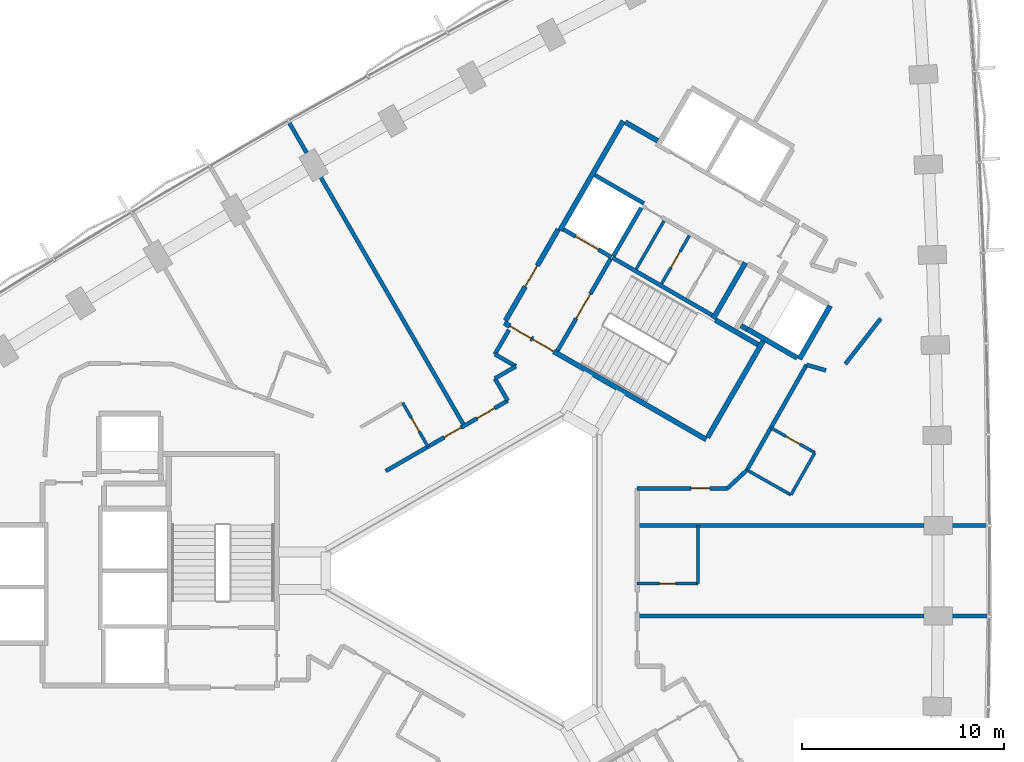
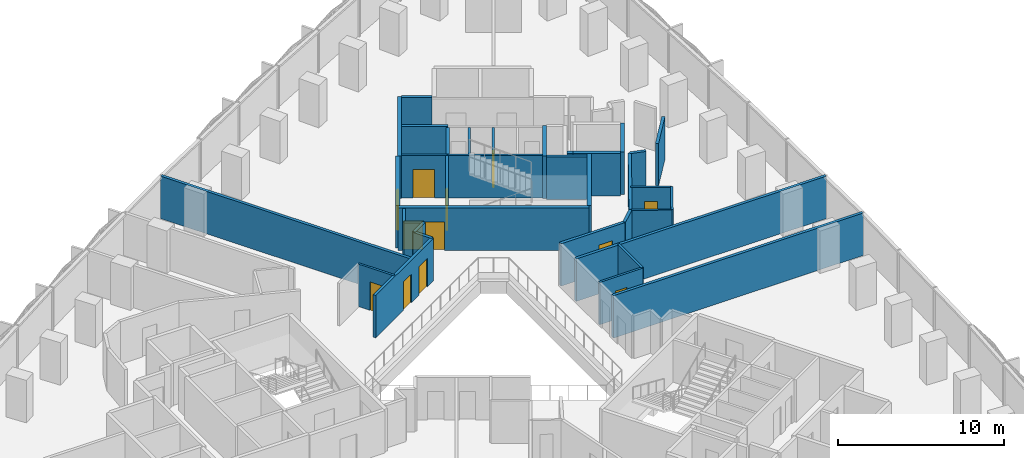
# One storey, part 11 of 15: 36 walls, 12 doors, 12 openings.
"""IFC4 building model written with IfcOpenShell, lengths in metres."""

from ifc_helpers import new_model, si_unit, direction, frame, frame_2d, origin, place, context, subcontext, project, spatial, rectangle, extrude, material, layer, layer_set, type_object, element, fill, save


model = new_model("IFC4")

# Units and contexts
model_context = context("Model", 3, precision=1e-05, world=origin(), true_north=direction((0.0, 1.0)))
body_context = subcontext(model_context, "Body", "Model", "MODEL_VIEW")
ifc_project = project(units=[si_unit("LENGTHUNIT", "METRE"), si_unit("AREAUNIT", "SQUARE_METRE"), si_unit("VOLUMEUNIT", "CUBIC_METRE"), si_unit("PLANEANGLEUNIT", "RADIAN"), si_unit("MASSUNIT", "GRAM", prefix="KILO")], contexts=[model_context])

# Site, building, storey
site_placement = place(None, origin())
site = spatial("IfcSite", under=ifc_project, at=site_placement, CompositionType="ELEMENT")
building_placement = place(site_placement, origin())
building = spatial("IfcBuilding", under=site, at=building_placement, Name="Tamra Quay Hotel Tower", CompositionType="ELEMENT")
storey_placement = place(building_placement, frame((0.0, 0.0, 53.0)))
storey = spatial("IfcBuildingStorey", under=building, at=storey_placement, Name="L11", CompositionType="ELEMENT", Elevation=53.0)

# Wall
ifc_material_1 = material(Name="Concrete M70", Category="concrete")
ifc_layer_1 = layer(ifc_material_1, 0.199951171875)
ifc_layer_set_1 = layer_set([ifc_layer_1], Name="Concrete M70 core wall 200")
wall_type_1 = type_object("IfcWallType", Name="Concrete M70 core wall 200", PredefinedType="SHEAR", material=ifc_layer_set_1)
wall_1_placement = place(storey_placement, frame((5.774658203125, 15.501953125, 0.0), z_axis=(0.0, 0.0, 1.0), x_axis=(0.866020080793, -0.500009219579, 0.0)))
element("IfcWall", 1, at=wall_1_placement, inside=storey, type_object=wall_type_1, Name="CW2", PredefinedType="SHEAR", context=body_context, shape_type="SweptSolid", body=[
    extrude(rectangle(XDim=5.69921875, YDim=0.199951171875, at=frame_2d((2.849609375, 0.0))), origin(), (0.0, 0.0, 1.0), 3.125),
])

# Wall, opening, door
wall_2_placement = place(storey_placement, frame((3.056640625, 10.89453125, 0.0), z_axis=(0.0, 0.0, 1.0), x_axis=(0.499989418164, 0.866031513124, 0.0)))
wall_2 = element("IfcWall", 2, at=wall_2_placement, inside=storey, type_object=wall_type_1, Name="CW2", PredefinedType="SHEAR", context=body_context, shape_type="SweptSolid", body=[
    extrude(rectangle(XDim=5.2509765625, YDim=0.199951171875, at=frame_2d((2.62548828125, 0.0))), origin(), (0.0, 0.0, 1.0), 3.125),
])
opening_1_placement = place(wall_2_placement, frame((1.84912109375, 0.0, 0.0)))
opening_1 = element("IfcOpeningElement", 3, at=opening_1_placement, cuts=wall_2, Name="Opening FD2", PredefinedType="OPENING", context=body_context, shape_type="SweptSolid", body=[
    extrude(rectangle(XDim=1.39990234375, YDim=2.10009765625, at=frame_2d((0.699951171875, 1.050048828125))), frame((0.0, 0.10986328125, 0.0), z_axis=(0.0, -1.0, 0.0), x_axis=(1.0, 0.0, 0.0)), (0.0, 0.0, 1.0), 0.219970703125),
])
ifc_material_2 = material(Name="Core door FD2 1400x2100 LH")
door_type_1 = type_object("IfcDoorType", Name="Core door FD2 1400x2100 LH", OperationType="NOTDEFINED", PredefinedType="DOOR", material=ifc_material_2)
door_1_placement = place(opening_1_placement, origin())
door_1 = element("IfcDoor", 4, at=door_1_placement, inside=storey, type_object=door_type_1, Name="FD2", OperationType="SINGLE_SWING_LEFT", OverallHeight=2.10009765625, OverallWidth=1.39990234375, PredefinedType="DOOR", context=body_context, shape_type="SweptSolid", body=[
    extrude(rectangle(XDim=1.39990234375, YDim=2.10009765625, at=frame_2d((0.699951171875, 1.050048828125))), frame((0.0, 0.02490234375, 0.0), z_axis=(0.0, -1.0, 0.0), x_axis=(1.0, 0.0, 0.0)), (0.0, 0.0, 1.0), 0.050048828125),
])
fill(opening_1, door_1)

# Wall
wall_3_placement = place(storey_placement, frame((7.199462890625, 17.969970703125, 0.0), z_axis=(0.0, 0.0, 1.0), x_axis=(-0.499968400327, -0.866043647095, 0.0)))
element("IfcWall", 5, at=wall_3_placement, inside=storey, type_object=wall_type_1, Name="CW2", PredefinedType="SHEAR", context=body_context, shape_type="SweptSolid", body=[
    extrude(rectangle(XDim=2.749755859375, YDim=0.199951171875, at=frame_2d((1.375, 0.0))), origin(), (0.0, 0.0, 1.0), 3.125),
])

# Wall, opening, door
wall_4_placement = place(storey_placement, frame((5.72509765625, 15.530517578125, 0.0), z_axis=(0.0, 0.0, 1.0), x_axis=(-0.866037306777, 0.499979382845, 0.0)))
wall_4 = element("IfcWall", 6, at=wall_4_placement, inside=storey, type_object=wall_type_1, Name="CW2", PredefinedType="SHEAR", context=body_context, shape_type="SweptSolid", body=[
    extrude(rectangle(XDim=2.74169921875, YDim=0.199951171875, at=frame_2d((1.370849609375, 0.0))), origin(), (0.0, 0.0, 1.0), 3.125),
])
opening_2_placement = place(wall_4_placement, frame((0.742919921875, 0.0, 0.0)))
opening_2 = element("IfcOpeningElement", 7, at=opening_2_placement, cuts=wall_4, Name="Opening LD", PredefinedType="OPENING", context=body_context, shape_type="SweptSolid", body=[
    extrude(rectangle(XDim=1.300048828125, YDim=2.10009765625, at=frame_2d((0.64990234375, 1.050048828125))), frame((0.0, 0.10986328125, 0.0), z_axis=(0.0, -1.0, 0.0), x_axis=(1.0, 0.0, 0.0)), (0.0, 0.0, 1.0), 0.219970703125),
])
ifc_material_3 = material(Name="Landing door LD 1300 sliding to left")
door_type_2 = type_object("IfcDoorType", Name="Landing door LD 1300 sliding to left", OperationType="NOTDEFINED", PredefinedType="DOOR", material=ifc_material_3)
door_2_placement = place(opening_2_placement, origin())
door_2 = element("IfcDoor", 8, at=door_2_placement, inside=storey, type_object=door_type_2, Name="LD", OperationType="SLIDING_TO_LEFT", OverallHeight=2.10009765625, OverallWidth=1.300048828125, PredefinedType="DOOR", context=body_context, shape_type="SweptSolid", body=[
    extrude(rectangle(XDim=1.300048828125, YDim=2.10009765625, at=frame_2d((0.64990234375, 1.050048828125))), frame((0.0, 0.02490234375, 0.0), z_axis=(0.0, -1.0, 0.0), x_axis=(1.0, 0.0, 0.0)), (0.0, 0.0, 1.0), 0.050048828125),
])
fill(opening_2, door_2)

# Wall
wall_5_placement = place(storey_placement, frame((4.900634765625, 19.5859375, 0.0), z_axis=(0.0, 0.0, 1.0), x_axis=(0.866022890907, -0.500004352405, 0.0)))
element("IfcWall", 9, at=wall_5_placement, inside=storey, type_object=wall_type_1, Name="CW2", PredefinedType="SHEAR", context=body_context, shape_type="SweptSolid", body=[
    extrude(rectangle(XDim=2.798828125, YDim=0.199951171875, at=frame_2d((1.3994140625, 0.0))), origin(), (0.0, 0.0, 1.0), 3.125),
])

# Wall, openings, doors
ifc_layer_2 = layer(ifc_material_1, 0.25)
ifc_layer_set_2 = layer_set([ifc_layer_2], Name="Concrete M70 core wall 250")
wall_type_2 = type_object("IfcWallType", Name="Concrete M70 core wall 250", PredefinedType="SHEAR", material=ifc_layer_set_2)
wall_6_placement = place(storey_placement, frame((10.419921875, 6.497802734375, 0.0), z_axis=(0.0, 0.0, 1.0), x_axis=(-0.866021906294, 0.500006057782, 0.0)))
wall_6 = element("IfcWall", 10, at=wall_6_placement, inside=storey, type_object=wall_type_2, Name="CW1", PredefinedType="SHEAR", context=body_context, shape_type="SweptSolid", body=[
    extrude(rectangle(XDim=11.550048828125, YDim=0.25, at=frame_2d((5.77490234375, 0.0))), origin(), (0.0, 0.0, 1.0), 3.125),
])
opening_3_placement = place(wall_6_placement, frame((10.02490234375, 0.0, 0.0)))
opening_3 = element("IfcOpeningElement", 11, at=opening_3_placement, cuts=wall_6, Name="Opening FD1", PredefinedType="OPENING", context=body_context, shape_type="SweptSolid", body=[
    extrude(rectangle(XDim=1.199951171875, YDim=2.10009765625, at=frame_2d((0.60009765625, 1.050048828125))), frame((0.0, 0.135009765625, 0.0), z_axis=(0.0, -1.0, 0.0), x_axis=(1.0, 0.0, 0.0)), (0.0, 0.0, 1.0), 0.27001953125),
])
opening_4_placement = place(wall_6_placement, frame((8.724853515625, 0.0, 0.0)))
opening_4 = element("IfcOpeningElement", 12, at=opening_4_placement, cuts=wall_6, Name="Opening FD1", PredefinedType="OPENING", context=body_context, shape_type="SweptSolid", body=[
    extrude(rectangle(XDim=1.199951171875, YDim=2.10009765625, at=frame_2d((0.60009765625, 1.050048828125))), frame((0.0, 0.135009765625, 0.0), z_axis=(0.0, -1.0, 0.0), x_axis=(1.0, 0.0, 0.0)), (0.0, 0.0, 1.0), 0.27001953125),
])
ifc_material_4 = material(Name="Core door FD1 1200x2100 LH")
door_type_3 = type_object("IfcDoorType", Name="Core door FD1 1200x2100 LH", OperationType="NOTDEFINED", PredefinedType="DOOR", material=ifc_material_4)
door_3_placement = place(opening_3_placement, origin())
door_3 = element("IfcDoor", 13, at=door_3_placement, inside=storey, type_object=door_type_3, Name="FD1", OperationType="SINGLE_SWING_LEFT", OverallHeight=2.10009765625, OverallWidth=1.199951171875, PredefinedType="DOOR", context=body_context, shape_type="SweptSolid", body=[
    extrude(rectangle(XDim=1.199951171875, YDim=2.10009765625, at=frame_2d((0.60009765625, 1.050048828125))), frame((0.0, 0.02490234375, 0.0), z_axis=(0.0, -1.0, 0.0), x_axis=(1.0, 0.0, 0.0)), (0.0, 0.0, 1.0), 0.050048828125),
])
fill(opening_3, door_3)
ifc_material_5 = material(Name="Core door FD1 1200x2100 RH")
door_type_4 = type_object("IfcDoorType", Name="Core door FD1 1200x2100 RH", OperationType="NOTDEFINED", PredefinedType="DOOR", material=ifc_material_5)
door_4_placement = place(opening_4_placement, origin())
door_4 = element("IfcDoor", 14, at=door_4_placement, inside=storey, type_object=door_type_4, Name="FD1", OperationType="SINGLE_SWING_RIGHT", OverallHeight=2.10009765625, OverallWidth=1.199951171875, PredefinedType="DOOR", context=body_context, shape_type="SweptSolid", body=[
    extrude(rectangle(XDim=1.199951171875, YDim=2.10009765625, at=frame_2d((0.60009765625, 1.050048828125))), frame((0.0, 0.02490234375, 0.0), z_axis=(0.0, -1.0, 0.0), x_axis=(1.0, 0.0, 0.0)), (0.0, 0.0, 1.0), 0.050048828125),
])
fill(opening_4, door_4)

# Wall
wall_7_placement = place(storey_placement, frame((3.178955078125, 16.856201171875, 0.0), z_axis=(0.0, 0.0, 1.0), x_axis=(0.500004234368, 0.866022959057, 0.0)))
element("IfcWall", 15, at=wall_7_placement, inside=storey, type_object=wall_type_2, Name="CW1", PredefinedType="SHEAR", context=body_context, shape_type="SweptSolid", body=[
    extrude(rectangle(XDim=6.25, YDim=0.25, at=frame_2d((3.125, 0.0))), origin(), (0.0, 0.0, 1.0), 3.125),
])

# Wall, opening, door
wall_8_placement = place(storey_placement, frame((0.47998046875, 12.38134765625, 0.0), z_axis=(0.0, 0.0, 1.0), x_axis=(0.49999885962, 0.866026062182, 0.0)))
wall_8 = element("IfcWall", 16, at=wall_8_placement, inside=storey, type_object=wall_type_2, Name="CW1", PredefinedType="SHEAR", context=body_context, shape_type="SweptSolid", body=[
    extrude(rectangle(XDim=5.224609375, YDim=0.25, at=frame_2d((2.6123046875, 0.0))), origin(), (0.0, 0.0, 1.0), 3.125),
])
opening_5_placement = place(wall_8_placement, frame((1.94970703125, 0.0, 0.0)))
opening_5 = element("IfcOpeningElement", 17, at=opening_5_placement, cuts=wall_8, Name="Opening D2", PredefinedType="OPENING", context=body_context, shape_type="SweptSolid", body=[
    extrude(rectangle(XDim=1.199951171875, YDim=2.10009765625, at=frame_2d((0.60009765625, 1.050048828125))), frame((0.0, 0.135009765625, 0.0), z_axis=(0.0, -1.0, 0.0), x_axis=(1.0, 0.0, 0.0)), (0.0, 0.0, 1.0), 0.27001953125),
])
ifc_material_6 = material(Name="Core door D2 1200x2100 RH")
door_type_5 = type_object("IfcDoorType", Name="Core door D2 1200x2100 RH", OperationType="NOTDEFINED", PredefinedType="DOOR", material=ifc_material_6)
door_5_placement = place(opening_5_placement, origin())
door_5 = element("IfcDoor", 18, at=door_5_placement, inside=storey, type_object=door_type_5, Name="D2", OperationType="SINGLE_SWING_RIGHT", OverallHeight=2.10009765625, OverallWidth=1.199951171875, PredefinedType="DOOR", context=body_context, shape_type="SweptSolid", body=[
    extrude(rectangle(XDim=1.199951171875, YDim=2.10009765625, at=frame_2d((0.60009765625, 1.050048828125))), frame((0.0, 0.02490234375, 0.0), z_axis=(0.0, -1.0, 0.0), x_axis=(1.0, 0.0, 0.0)), (0.0, 0.0, 1.0), 0.050048828125),
])
fill(opening_5, door_5)

# Walls
wall_9_placement = place(storey_placement, frame((13.237548828125, 11.3779296875, 0.0), z_axis=(0.0, 0.0, 1.0), x_axis=(-0.500008851346, -0.866020293397, 0.0)))
element("IfcWall", 19, at=wall_9_placement, inside=storey, type_object=wall_type_2, Name="CW1", PredefinedType="SHEAR", context=body_context, shape_type="SweptSolid", body=[
    extrude(rectangle(XDim=5.509765625, YDim=0.25, at=frame_2d((2.7548828125, 0.0))), origin(), (0.0, 0.0, 1.0), 3.125),
])
wall_10_placement = place(storey_placement, frame((12.356689453125, 15.25244140625, 0.0), z_axis=(0.0, 0.0, 1.0), x_axis=(-0.500028443584, -0.866008981251, 0.0)))
element("IfcWall", 20, at=wall_10_placement, inside=storey, type_object=wall_type_2, Name="CW1", PredefinedType="SHEAR", context=body_context, shape_type="SweptSolid", body=[
    extrude(rectangle(XDim=3.199951171875, YDim=0.25, at=frame_2d((1.60009765625, 0.0))), origin(), (0.0, 0.0, 1.0), 3.125),
])
wall_11_placement = place(storey_placement, frame((16.552001953125, 13.118896484375, 0.0), z_axis=(0.0, 0.0, 1.0), x_axis=(-0.499978833458, -0.866037623948, 0.0)))
element("IfcWall", 21, at=wall_11_placement, inside=storey, type_object=wall_type_2, Name="CW1", PredefinedType="SHEAR", context=body_context, shape_type="SweptSolid", body=[
    extrude(rectangle(XDim=3.050048828125, YDim=0.25, at=frame_2d((1.52490234375, 0.0))), origin(), (0.0, 0.0, 1.0), 3.125),
])
wall_12_placement = place(storey_placement, frame((14.91845703125, 10.540283203125, 0.0), z_axis=(0.0, 0.0, 1.0), x_axis=(-0.866063538972, 0.499933942099, 0.0)))
element("IfcWall", 22, at=wall_12_placement, inside=storey, type_object=wall_type_2, Name="CW1", PredefinedType="SHEAR", context=body_context, shape_type="SweptSolid", body=[
    extrude(rectangle(XDim=2.86474609375, YDim=0.25, at=frame_2d((1.432373046875, 0.0))), origin(), (0.0, 0.0, 1.0), 3.125),
])
wall_13_placement = place(storey_placement, frame((10.865234375, 12.41845703125, 0.0), z_axis=(0.0, 0.0, 1.0), x_axis=(0.866026229868, -0.499998569178, 0.0)))
element("IfcWall", 23, at=wall_13_placement, inside=storey, type_object=wall_type_2, Name="CW1", PredefinedType="SHEAR", context=body_context, shape_type="SweptSolid", body=[
    extrude(rectangle(XDim=2.44921875, YDim=0.25, at=frame_2d((1.224609375, 0.0))), origin(), (0.0, 0.0, 1.0), 3.125),
])
wall_14_placement = place(storey_placement, frame((6.41259765625, 22.2060546875, 0.0), z_axis=(0.0, 0.0, 1.0), x_axis=(0.866016279763, -0.500015802937, 0.0)))
element("IfcWall", 24, at=wall_14_placement, inside=storey, type_object=wall_type_2, Name="CW1", PredefinedType="SHEAR", context=body_context, shape_type="SweptSolid", body=[
    extrude(rectangle(XDim=1.84912109375, YDim=0.25, at=frame_2d((0.924560546875, 0.0))), origin(), (0.0, 0.0, 1.0), 3.125),
])
wall_15_placement = place(storey_placement, frame((12.4326171875, 11.9638671875, 0.0), z_axis=(0.0, 0.0, 1.0), x_axis=(-0.866055875208, 0.499947218231, 0.0)))
element("IfcWall", 25, at=wall_15_placement, inside=storey, type_object=wall_type_2, Name="CW1", PredefinedType="SHEAR", context=body_context, shape_type="SweptSolid", body=[
    extrude(rectangle(XDim=0.3447265625, YDim=0.25, at=frame_2d((0.17236328125, 0.0))), origin(), (0.0, 0.0, 1.0), 3.125),
])

# Wall, opening, door
ifc_material_7 = material(Name="Blockwork", Category="masonry")
ifc_layer_3 = layer(ifc_material_7, 0.14990234375)
ifc_layer_set_3 = layer_set([ifc_layer_3], Name="Core partition block 150")
wall_type_3 = type_object("IfcWallType", Name="Core partition block 150", PredefinedType="PARTITIONING", material=ifc_layer_set_3)
wall_16_placement = place(storey_placement, frame((8.20654296875, 14.214111328125, 0.0), z_axis=(0.0, 0.0, 1.0), x_axis=(0.499922376475, 0.866070215109, 0.0)))
wall_16 = element("IfcWall", 26, at=wall_16_placement, inside=storey, type_object=wall_type_3, Name="CP1", PredefinedType="PARTITIONING", context=body_context, shape_type="SweptSolid", body=[
    extrude(rectangle(XDim=2.74853515625, YDim=0.14990234375, at=frame_2d((1.374267578125, 0.0))), origin(), (0.0, 0.0, 1.0), 3.125),
])
opening_6_placement = place(wall_16_placement, frame((0.92431640625, 0.0, 0.0)))
opening_6 = element("IfcOpeningElement", 27, at=opening_6_placement, cuts=wall_16, Name="Opening D2", PredefinedType="OPENING", context=body_context, shape_type="SweptSolid", body=[
    extrude(rectangle(XDim=0.89990234375, YDim=2.10009765625, at=frame_2d((0.449951171875, 1.050048828125))), frame((0.0, 0.0849609375, 0.0), z_axis=(0.0, -1.0, 0.0), x_axis=(1.0, 0.0, 0.0)), (0.0, 0.0, 1.0), 0.169921875),
])
ifc_material_8 = material(Name="Core door D2 900x2100 RH")
door_type_6 = type_object("IfcDoorType", Name="Core door D2 900x2100 RH", OperationType="NOTDEFINED", PredefinedType="DOOR", material=ifc_material_8)
door_6_placement = place(opening_6_placement, origin())
door_6 = element("IfcDoor", 28, at=door_6_placement, inside=storey, type_object=door_type_6, Name="D2", OperationType="SINGLE_SWING_RIGHT", OverallHeight=2.10009765625, OverallWidth=0.89990234375, PredefinedType="DOOR", context=body_context, shape_type="SweptSolid", body=[
    extrude(rectangle(XDim=0.89990234375, YDim=2.10009765625, at=frame_2d((0.449951171875, 1.050048828125))), frame((0.0, 0.02490234375, 0.0), z_axis=(0.0, -1.0, 0.0), x_axis=(1.0, 0.0, 0.0)), (0.0, 0.0, 1.0), 0.050048828125),
])
fill(opening_6, door_6)

# Wall
wall_17_placement = place(storey_placement, frame((6.95068359375, 14.939208984375, 0.0), z_axis=(0.0, 0.0, 1.0), x_axis=(0.50002746344, 0.86600954718, 0.0)))
element("IfcWall", 29, at=wall_17_placement, inside=storey, type_object=wall_type_3, Name="CP1", PredefinedType="PARTITIONING", context=body_context, shape_type="SweptSolid", body=[
    extrude(rectangle(XDim=2.748291015625, YDim=0.14990234375, at=frame_2d((1.3740234375, 0.0))), origin(), (0.0, 0.0, 1.0), 3.125),
])

# Wall, openings, doors
ifc_material_9 = material(Name="Partition corridor wall")
ifc_layer_4 = layer(ifc_material_9, 0.199951171875)
ifc_layer_set_4 = layer_set([ifc_layer_4], Name="Partition corridor wall")
wall_type_4 = type_object("IfcWallType", Name="Partition corridor wall", PredefinedType="PARTITIONING", material=ifc_layer_set_4)
wall_18_placement = place(storey_placement, frame((-5.4462890625, 4.939697265625, 0.0), z_axis=(0.0, 0.0, 1.0), x_axis=(0.866096332545, 0.499877127655, 0.0)))
wall_18 = element("IfcWall", 30, at=wall_18_placement, inside=storey, type_object=wall_type_4, Name="W-C", PredefinedType="PARTITIONING", context=body_context, shape_type="SweptSolid", body=[
    extrude(rectangle(XDim=6.968505859375, YDim=0.199951171875, at=frame_2d((3.484375, 0.0))), origin(), (0.0, 0.0, 1.0), 3.125),
])
opening_7_placement = place(wall_18_placement, frame((5.21923828125, 0.0, 0.0)))
opening_7 = element("IfcOpeningElement", 31, at=opening_7_placement, cuts=wall_18, Name="Opening L11-D006", PredefinedType="OPENING", context=body_context, shape_type="SweptSolid", body=[
    extrude(rectangle(XDim=1.0, YDim=2.10009765625, at=frame_2d((0.5, 1.050048828125))), frame((0.0, 0.10986328125, 0.0), z_axis=(0.0, -1.0, 0.0), x_axis=(1.0, 0.0, 0.0)), (0.0, 0.0, 1.0), 0.219970703125),
])
opening_8_placement = place(wall_18_placement, frame((3.343994140625, 0.0, 0.0)))
opening_8 = element("IfcOpeningElement", 32, at=opening_8_placement, cuts=wall_18, Name="Opening L11-D007", PredefinedType="OPENING", context=body_context, shape_type="SweptSolid", body=[
    extrude(rectangle(XDim=0.949951171875, YDim=2.10009765625, at=frame_2d((0.47509765625, 1.050048828125))), frame((0.0, 0.10986328125, 0.0), z_axis=(0.0, -1.0, 0.0), x_axis=(1.0, 0.0, 0.0)), (0.0, 0.0, 1.0), 0.219970703125),
])
ifc_material_10 = material(Name="Door guest room 1000x2100")
door_type_7 = type_object("IfcDoorType", Name="Door guest room 1000x2100", OperationType="NOTDEFINED", PredefinedType="DOOR", material=ifc_material_10)
door_7_placement = place(opening_7_placement, origin())
door_7 = element("IfcDoor", 33, at=door_7_placement, inside=storey, type_object=door_type_7, Name="L11-D006", OperationType="SINGLE_SWING_LEFT", OverallHeight=2.10009765625, OverallWidth=1.0, PredefinedType="DOOR", context=body_context, shape_type="SweptSolid", body=[
    extrude(rectangle(XDim=1.0, YDim=2.10009765625, at=frame_2d((0.5, 1.050048828125))), frame((0.0, 0.02490234375, 0.0), z_axis=(0.0, -1.0, 0.0), x_axis=(1.0, 0.0, 0.0)), (0.0, 0.0, 1.0), 0.050048828125),
])
fill(opening_7, door_7)
ifc_material_11 = material(Name="Door guest room 950x2100")
door_type_8 = type_object("IfcDoorType", Name="Door guest room 950x2100", OperationType="NOTDEFINED", PredefinedType="DOOR", material=ifc_material_11)
door_8_placement = place(opening_8_placement, origin())
door_8 = element("IfcDoor", 34, at=door_8_placement, inside=storey, type_object=door_type_8, Name="L11-D007", OperationType="SINGLE_SWING_LEFT", OverallHeight=2.10009765625, OverallWidth=0.949951171875, PredefinedType="DOOR", context=body_context, shape_type="SweptSolid", body=[
    extrude(rectangle(XDim=0.949951171875, YDim=2.10009765625, at=frame_2d((0.47509765625, 1.050048828125))), frame((0.0, 0.02490234375, 0.0), z_axis=(0.0, -1.0, 0.0), x_axis=(1.0, 0.0, 0.0)), (0.0, 0.0, 1.0), 0.050048828125),
])
fill(opening_8, door_8)

# Walls
wall_19_placement = place(storey_placement, frame((-0.044921875, 9.52197265625, 0.0), z_axis=(0.0, 0.0, 1.0), x_axis=(0.86625675314, 0.499599076899, 0.0)))
element("IfcWall", 35, at=wall_19_placement, inside=storey, type_object=wall_type_4, Name="W-C", PredefinedType="PARTITIONING", context=body_context, shape_type="SweptSolid", body=[
    extrude(rectangle(XDim=1.19921875, YDim=0.199951171875, at=frame_2d((0.599609375, 0.0))), origin(), (0.0, 0.0, 1.0), 3.125),
])
wall_20_placement = place(storey_placement, frame((-0.044921875, 10.721923828125, 0.0), z_axis=(0.0, 0.0, 1.0), x_axis=(0.500107785535, 0.865963164833, 0.0)))
element("IfcWall", 36, at=wall_20_placement, inside=storey, type_object=wall_type_4, Name="W-C", PredefinedType="PARTITIONING", context=body_context, shape_type="SweptSolid", body=[
    extrude(rectangle(XDim=1.389404296875, YDim=0.199951171875, at=frame_2d((0.69482421875, 0.0))), origin(), (0.0, 0.0, 1.0), 3.125),
])
wall_21_placement = place(storey_placement, frame((-0.044921875, 9.52099609375, 0.0), z_axis=(0.0, 0.0, 1.0), x_axis=(0.500094716449, -0.865970712311, 0.0)))
element("IfcWall", 37, at=wall_21_placement, inside=storey, type_object=wall_type_4, Name="W-C", PredefinedType="PARTITIONING", context=body_context, shape_type="SweptSolid", body=[
    extrude(rectangle(XDim=1.267822265625, YDim=0.199951171875, at=frame_2d((0.6337890625, 0.0))), origin(), (0.0, 0.0, 1.0), 3.125),
])
wall_22_placement = place(storey_placement, frame((-0.044921875, 10.720947265625, 0.0), z_axis=(0.0, 0.0, 1.0), x_axis=(0.865992388649, -0.500057179532, 0.0)))
element("IfcWall", 38, at=wall_22_placement, inside=storey, type_object=wall_type_4, Name="W-C", PredefinedType="PARTITIONING", context=body_context, shape_type="SweptSolid", body=[
    extrude(rectangle(XDim=1.199462890625, YDim=0.199951171875, at=frame_2d((0.599609375, 0.0))), origin(), (0.0, 0.0, 1.0), 3.125),
])

# Wall, opening, door
wall_23_placement = place(storey_placement, frame((7.0, 4.077880859375, 0.0), z_axis=(0.0, 0.0, 1.0), x_axis=(1.0, 0.0, 0.0)))
wall_23 = element("IfcWall", 39, at=wall_23_placement, inside=storey, type_object=wall_type_4, Name="W-C", PredefinedType="PARTITIONING", context=body_context, shape_type="SweptSolid", body=[
    extrude(rectangle(XDim=4.4580078125, YDim=0.199951171875, at=frame_2d((2.22900390625, 0.0))), origin(), (0.0, 0.0, 1.0), 3.125),
])
opening_9_placement = place(wall_23_placement, frame((2.64990234375, 0.0, 0.0)))
opening_9 = element("IfcOpeningElement", 40, at=opening_9_placement, cuts=wall_23, Name="Opening L11-D004", PredefinedType="OPENING", context=body_context, shape_type="SweptSolid", body=[
    extrude(rectangle(XDim=0.949951171875, YDim=2.10009765625, at=frame_2d((0.47509765625, 1.050048828125))), frame((0.0, 0.10986328125, 0.0), z_axis=(0.0, -1.0, 0.0), x_axis=(1.0, 0.0, 0.0)), (0.0, 0.0, 1.0), 0.219970703125),
])
door_9_placement = place(opening_9_placement, origin())
door_9 = element("IfcDoor", 41, at=door_9_placement, inside=storey, type_object=door_type_8, Name="L11-D004", OperationType="SINGLE_SWING_LEFT", OverallHeight=2.10009765625, OverallWidth=0.949951171875, PredefinedType="DOOR", context=body_context, shape_type="SweptSolid", body=[
    extrude(rectangle(XDim=0.949951171875, YDim=2.10009765625, at=frame_2d((0.47509765625, 1.050048828125))), frame((0.0, 0.02490234375, 0.0), z_axis=(0.0, -1.0, 0.0), x_axis=(1.0, 0.0, 0.0)), (0.0, 0.0, 1.0), 0.050048828125),
])
fill(opening_9, door_9)

# Walls
wall_24_placement = place(storey_placement, frame((11.4580078125, 4.077880859375, 0.0), z_axis=(0.0, 0.0, 1.0), x_axis=(0.729936032318, 0.683515463412, 0.0)))
element("IfcWall", 42, at=wall_24_placement, inside=storey, type_object=wall_type_4, Name="W-C", PredefinedType="PARTITIONING", context=body_context, shape_type="SweptSolid", body=[
    extrude(rectangle(XDim=1.3359375, YDim=0.199951171875, at=frame_2d((0.66796875, 0.0))), origin(), (0.0, 0.0, 1.0), 3.125),
])
wall_25_placement = place(storey_placement, frame((12.432373046875, 4.992431640625, 0.0), z_axis=(0.0, 0.0, 1.0), x_axis=(0.492790102015, 0.870148214591, 0.0)))
element("IfcWall", 43, at=wall_25_placement, inside=storey, type_object=wall_type_4, Name="W-C", PredefinedType="PARTITIONING", context=body_context, shape_type="SweptSolid", body=[
    extrude(rectangle(XDim=5.981201171875, YDim=0.199951171875, at=frame_2d((2.99072265625, 0.0))), origin(), (0.0, 0.0, 1.0), 3.125),
])
wall_26_placement = place(storey_placement, frame((15.3798828125, 10.197021484375, 0.0), z_axis=(0.0, 0.0, 1.0), x_axis=(0.961523947641, -0.274721127897, 0.0)))
element("IfcWall", 44, at=wall_26_placement, inside=storey, type_object=wall_type_4, Name="W-C", PredefinedType="PARTITIONING", context=body_context, shape_type="SweptSolid", body=[
    extrude(rectangle(XDim=1.000732421875, YDim=0.199951171875, at=frame_2d((0.50048828125, 0.0))), origin(), (0.0, 0.0, 1.0), 3.125),
])
wall_27_placement = place(storey_placement, frame((17.299072265625, 10.235107421875, 0.0), z_axis=(0.0, 0.0, 1.0), x_axis=(0.61377461522, 0.789481299153, 0.0)))
element("IfcWall", 45, at=wall_27_placement, inside=storey, type_object=wall_type_4, Name="W-C", PredefinedType="PARTITIONING", context=body_context, shape_type="SweptSolid", body=[
    extrude(rectangle(XDim=2.851318359375, YDim=0.199951171875, at=frame_2d((1.42578125, 0.0))), origin(), (0.0, 0.0, 1.0), 3.125),
])

# Wall, opening, door
ifc_material_12 = material(Name="Partition en-suite wall")
ifc_layer_5 = layer(ifc_material_12, 0.14990234375)
ifc_layer_set_5 = layer_set([ifc_layer_5], Name="Partition en-suite wall")
wall_type_5 = type_object("IfcWallType", Name="Partition en-suite wall", PredefinedType="PARTITIONING", material=ifc_layer_set_5)
wall_28_placement = place(storey_placement, frame((-4.60693359375, 8.31005859375, 0.0), z_axis=(0.0, 0.0, 1.0), x_axis=(0.500004234368, -0.866022959057, 0.0)))
wall_28 = element("IfcWall", 46, at=wall_28_placement, inside=storey, type_object=wall_type_5, Name="W-E", PredefinedType="PARTITIONING", context=body_context, shape_type="SweptSolid", body=[
    extrude(rectangle(XDim=2.5, YDim=0.14990234375, at=frame_2d((1.25, 0.0))), origin(), (0.0, 0.0, 1.0), 3.125),
])
opening_10_placement = place(wall_28_placement, frame((0.849853515625, 0.0, 0.0)))
opening_10 = element("IfcOpeningElement", 47, at=opening_10_placement, cuts=wall_28, Name="Opening L11-D008", PredefinedType="OPENING", context=body_context, shape_type="SweptSolid", body=[
    extrude(rectangle(XDim=0.800048828125, YDim=2.10009765625, at=frame_2d((0.39990234375, 1.050048828125))), frame((0.0, 0.0849609375, 0.0), z_axis=(0.0, -1.0, 0.0), x_axis=(1.0, 0.0, 0.0)), (0.0, 0.0, 1.0), 0.169921875),
])
ifc_material_13 = material(Name="Door en-suite 800x2100")
door_type_9 = type_object("IfcDoorType", Name="Door en-suite 800x2100", OperationType="NOTDEFINED", PredefinedType="DOOR", material=ifc_material_13)
door_10_placement = place(opening_10_placement, frame((0.800048828125, 0.0, 0.0), z_axis=(0.0, 0.0, 1.0), x_axis=(-1.0, 0.0, 0.0)))
door_10 = element("IfcDoor", 48, at=door_10_placement, inside=storey, type_object=door_type_9, Name="L11-D008", OperationType="SINGLE_SWING_LEFT", OverallHeight=2.10009765625, OverallWidth=0.800048828125, PredefinedType="DOOR", context=body_context, shape_type="SweptSolid", body=[
    extrude(rectangle(XDim=0.800048828125, YDim=2.10009765625, at=frame_2d((0.39990234375, 1.050048828125))), frame((0.0, 0.02490234375, 0.0), z_axis=(0.0, -1.0, 0.0), x_axis=(1.0, 0.0, 0.0)), (0.0, 0.0, 1.0), 0.050048828125),
])
fill(opening_10, door_10)

wall_29_placement = place(storey_placement, frame((7.0, -0.635009765625, 0.0), z_axis=(0.0, 0.0, 1.0), x_axis=(1.0, 0.0, 0.0)))
wall_29 = element("IfcWall", 49, at=wall_29_placement, inside=storey, type_object=wall_type_5, Name="W-E", PredefinedType="PARTITIONING", context=body_context, shape_type="SweptSolid", body=[
    extrude(rectangle(XDim=3.0, YDim=0.14990234375, at=frame_2d((1.5, 0.0))), origin(), (0.0, 0.0, 1.0), 3.125),
])
opening_11_placement = place(wall_29_placement, frame((1.10009765625, 0.0, 0.0)))
opening_11 = element("IfcOpeningElement", 50, at=opening_11_placement, cuts=wall_29, Name="Opening L11-D003", PredefinedType="OPENING", context=body_context, shape_type="SweptSolid", body=[
    extrude(rectangle(XDim=0.800048828125, YDim=2.10009765625, at=frame_2d((0.39990234375, 1.050048828125))), frame((0.0, 0.0849609375, 0.0), z_axis=(0.0, -1.0, 0.0), x_axis=(1.0, 0.0, 0.0)), (0.0, 0.0, 1.0), 0.169921875),
])
door_11_placement = place(opening_11_placement, origin())
door_11 = element("IfcDoor", 51, at=door_11_placement, inside=storey, type_object=door_type_9, Name="L11-D003", OperationType="SINGLE_SWING_LEFT", OverallHeight=2.10009765625, OverallWidth=0.800048828125, PredefinedType="DOOR", context=body_context, shape_type="SweptSolid", body=[
    extrude(rectangle(XDim=0.800048828125, YDim=2.10009765625, at=frame_2d((0.39990234375, 1.050048828125))), frame((0.0, 0.02490234375, 0.0), z_axis=(0.0, -1.0, 0.0), x_axis=(1.0, 0.0, 0.0)), (0.0, 0.0, 1.0), 0.050048828125),
])
fill(opening_11, door_11)

# Walls
wall_30_placement = place(storey_placement, frame((10.0, -0.635009765625, 0.0), z_axis=(0.0, 0.0, 1.0), x_axis=(0.0, 1.0, 0.0)))
element("IfcWall", 52, at=wall_30_placement, inside=storey, type_object=wall_type_5, Name="W-E", PredefinedType="PARTITIONING", context=body_context, shape_type="SweptSolid", body=[
    extrude(rectangle(XDim=2.8701171875, YDim=0.14990234375, at=frame_2d((1.43505859375, 0.0))), origin(), (0.0, 0.0, 1.0), 3.125),
])
wall_31_placement = place(storey_placement, frame((12.43310546875, 4.990966796875, 0.0), z_axis=(0.0, 0.0, 1.0), x_axis=(0.870173052757, -0.49274624124, 0.0)))
element("IfcWall", 53, at=wall_31_placement, inside=storey, type_object=wall_type_5, Name="W-E", PredefinedType="PARTITIONING", context=body_context, shape_type="SweptSolid", body=[
    extrude(rectangle(XDim=2.498046875, YDim=0.14990234375, at=frame_2d((1.2490234375, 0.0))), origin(), (0.0, 0.0, 1.0), 3.125),
])

# Wall, opening, door
wall_32_placement = place(storey_placement, frame((13.618896484375, 7.075927734375, 0.0), z_axis=(0.0, 0.0, 1.0), x_axis=(0.870725399165, -0.491769538758, 0.0)))
wall_32 = element("IfcWall", 54, at=wall_32_placement, inside=storey, type_object=wall_type_5, Name="W-E", PredefinedType="PARTITIONING", context=body_context, shape_type="SweptSolid", body=[
    extrude(rectangle(XDim=2.48876953125, YDim=0.14990234375, at=frame_2d((1.244384765625, 0.0))), origin(), (0.0, 0.0, 1.0), 3.125),
])
opening_12_placement = place(wall_32_placement, frame((0.84521484375, 0.0, 0.0)))
opening_12 = element("IfcOpeningElement", 55, at=opening_12_placement, cuts=wall_32, Name="Opening L11-D005", PredefinedType="OPENING", context=body_context, shape_type="SweptSolid", body=[
    extrude(rectangle(XDim=0.800048828125, YDim=2.10009765625, at=frame_2d((0.39990234375, 1.050048828125))), frame((0.0, 0.0849609375, 0.0), z_axis=(0.0, -1.0, 0.0), x_axis=(1.0, 0.0, 0.0)), (0.0, 0.0, 1.0), 0.169921875),
])
door_12_placement = place(opening_12_placement, origin())
door_12 = element("IfcDoor", 56, at=door_12_placement, inside=storey, type_object=door_type_9, Name="L11-D005", OperationType="SINGLE_SWING_LEFT", OverallHeight=2.10009765625, OverallWidth=0.800048828125, PredefinedType="DOOR", context=body_context, shape_type="SweptSolid", body=[
    extrude(rectangle(XDim=0.800048828125, YDim=2.10009765625, at=frame_2d((0.39990234375, 1.050048828125))), frame((0.0, 0.02490234375, 0.0), z_axis=(0.0, -1.0, 0.0), x_axis=(1.0, 0.0, 0.0)), (0.0, 0.0, 1.0), 0.050048828125),
])
fill(opening_12, door_12)

# Walls
wall_33_placement = place(storey_placement, frame((14.613037109375, 3.763916015625, 0.0), z_axis=(0.0, 0.0, 1.0), x_axis=(0.492121164181, 0.870526713987, 0.0)))
element("IfcWall", 57, at=wall_33_placement, inside=storey, type_object=wall_type_5, Name="W-E", PredefinedType="PARTITIONING", context=body_context, shape_type="SweptSolid", body=[
    extrude(rectangle(XDim=2.3916015625, YDim=0.14990234375, at=frame_2d((1.19580078125, 0.0))), origin(), (0.0, 0.0, 1.0), 3.125),
])
ifc_material_14 = material(Name="Partition party wall")
ifc_layer_6 = layer(ifc_material_14, 0.199951171875)
ifc_layer_set_6 = layer_set([ifc_layer_6], Name="Partition party wall")
wall_type_6 = type_object("IfcWallType", Name="Partition party wall", PredefinedType="PARTITIONING", material=ifc_layer_set_6)
wall_34_placement = place(storey_placement, frame((-10.2763671875, 22.2705078125, 0.0), z_axis=(0.0, 0.0, 1.0), x_axis=(0.499958184216, -0.866049544793, 0.0)))
element("IfcWall", 58, at=wall_34_placement, inside=storey, type_object=wall_type_6, Name="W-P", PredefinedType="PARTITIONING", context=body_context, shape_type="SweptSolid", body=[
    extrude(rectangle(XDim=17.42236328125, YDim=0.199951171875, at=frame_2d((8.711181640625, 0.0))), origin(), (0.0, 0.0, 1.0), 3.125),
])
wall_35_placement = place(storey_placement, frame((7.0, 2.235107421875, 0.0), z_axis=(0.0, 0.0, 1.0), x_axis=(1.0, 0.0, 0.0)))
element("IfcWall", 59, at=wall_35_placement, inside=storey, type_object=wall_type_6, Name="W-P", PredefinedType="PARTITIONING", context=body_context, shape_type="SweptSolid", body=[
    extrude(rectangle(XDim=17.425048828125, YDim=0.199951171875, at=frame_2d((8.71240234375, 0.0))), origin(), (0.0, 0.0, 1.0), 3.125),
])
wall_36_placement = place(storey_placement, frame((7.0009765625, -2.235107421875, 0.0), z_axis=(0.0, 0.0, 1.0), x_axis=(1.0, 0.0, 0.0)))
element("IfcWall", 60, at=wall_36_placement, inside=storey, type_object=wall_type_6, Name="W-P", PredefinedType="PARTITIONING", context=body_context, shape_type="SweptSolid", body=[
    extrude(rectangle(XDim=17.424072265625, YDim=0.199951171875, at=frame_2d((8.7119140625, 0.0))), origin(), (0.0, 0.0, 1.0), 3.125),
])

save(model, "model.ifc")
